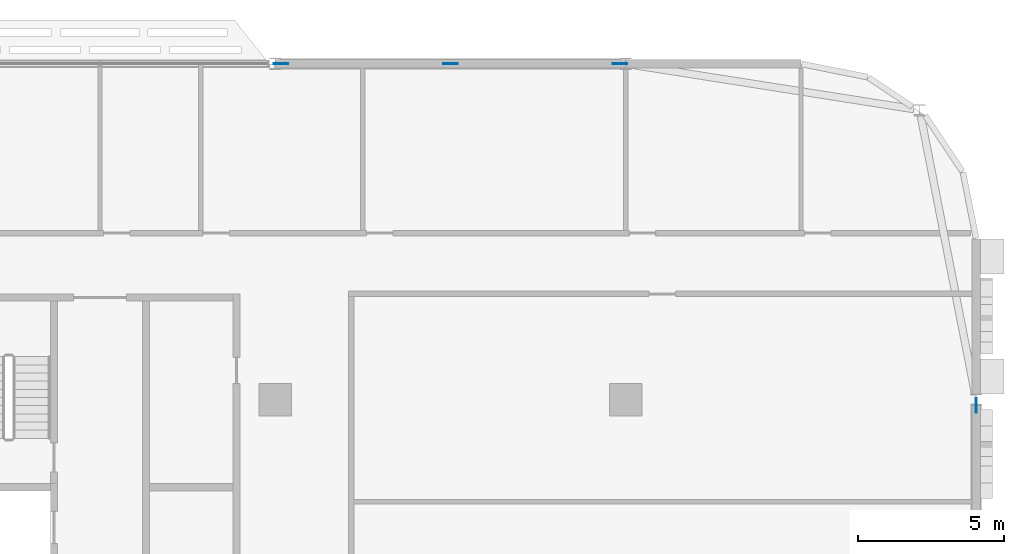
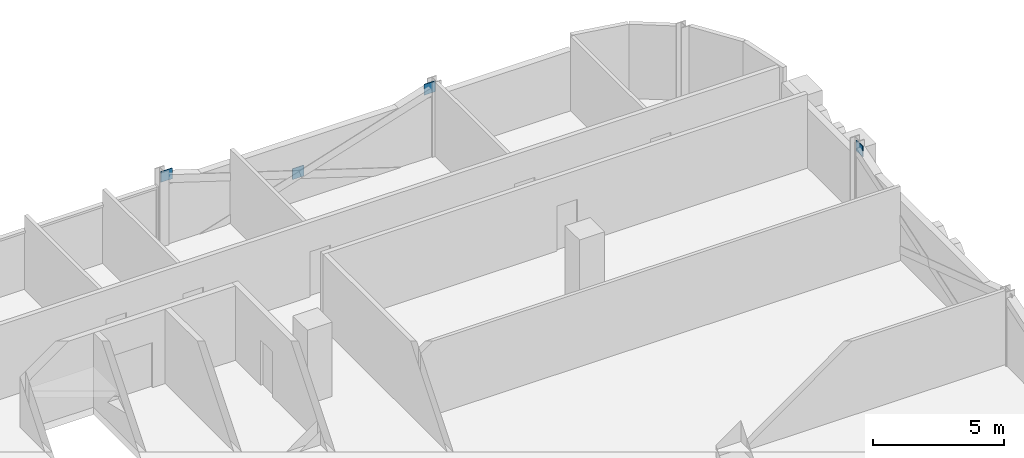
# One storey, part 24 of 30: 4 discrete accessories.
"""IFC4 building model written with IfcOpenShell, lengths in metres."""

from ifc_helpers import new_model, si_unit, direction, frame, origin, origin_2d, place, context, subcontext, project, spatial, rectangle, extrude, material, layer, layer_set, type_object, element, save


model = new_model("IFC4")

# Units and contexts
model_context = context("Model", 3, precision=1e-05, world=origin(), true_north=direction((0.0, 1.0)))
body_context = subcontext(model_context, "Body", "Model", "MODEL_VIEW")
ifc_project = project(units=[si_unit("LENGTHUNIT", "METRE"), si_unit("AREAUNIT", "SQUARE_METRE"), si_unit("VOLUMEUNIT", "CUBIC_METRE"), si_unit("PLANEANGLEUNIT", "RADIAN"), si_unit("MASSUNIT", "GRAM", prefix="KILO")], contexts=[model_context])

# Site, building, storey
site_placement = place(None, origin())
site = spatial("IfcSite", under=ifc_project, at=site_placement, CompositionType="ELEMENT")
building_placement = place(site_placement, origin())
building = spatial("IfcBuilding", under=site, at=building_placement, Name="Mahtab Terrace Research Tower", CompositionType="ELEMENT")
storey_placement = place(building_placement, frame((0.0, 0.0, 212.89990234375)))
storey = spatial("IfcBuildingStorey", under=building, at=storey_placement, Name="L51", CompositionType="ELEMENT", Elevation=212.89990234375)

# Discrete accessories
ifc_material = material(Name="Steel ASTM A992 Gr 50", Category="steel")
ifc_layer = layer(ifc_material, 0.030029296875)
ifc_layer_set = layer_set([ifc_layer], Name="Gusset plate 500x500x30")
discrete_accessory_type = type_object("IfcDiscreteAccessoryType", Name="Gusset plate 500x500x30", PredefinedType="USERDEFINED", material=ifc_layer_set)
for number, where, z_axis, x_axis, name in (
    (1, (30.20068359375, 23.0, 2.87109375), (0.0, 0.0, 1.0), (1.0, 0.0, 0.0), "Gusset plate"),
    (2, (36.0, 23.0, 0.970947265625), (0.0, 0.0, 1.0), (1.0, 0.0, 0.0), "Gusset plate"),
    (3, (41.79931640625, 23.0, 2.87109375), (0.0, 0.0, 1.0), (1.0, 0.0, 0.0), "Gusset plate"),
    (4, (54.0, 11.300537109375, 2.87109375), (0.0, 0.0, 1.0), (0.0, 1.0, 0.0), "Gusset plate"),
):
    element("IfcDiscreteAccessory", number, at=place(storey_placement, frame(where, z_axis=z_axis, x_axis=x_axis)), inside=storey, type_object=discrete_accessory_type, Name=name, ObjectType="GUSSET PLATE", PredefinedType="USERDEFINED", context=body_context, shape_type="SweptSolid", body=[
        extrude(rectangle(XDim=0.5, YDim=0.030029296875, at=origin_2d()), origin(), (0.0, 0.0, 1.0), 0.5),
    ])

save(model, "model.ifc")
